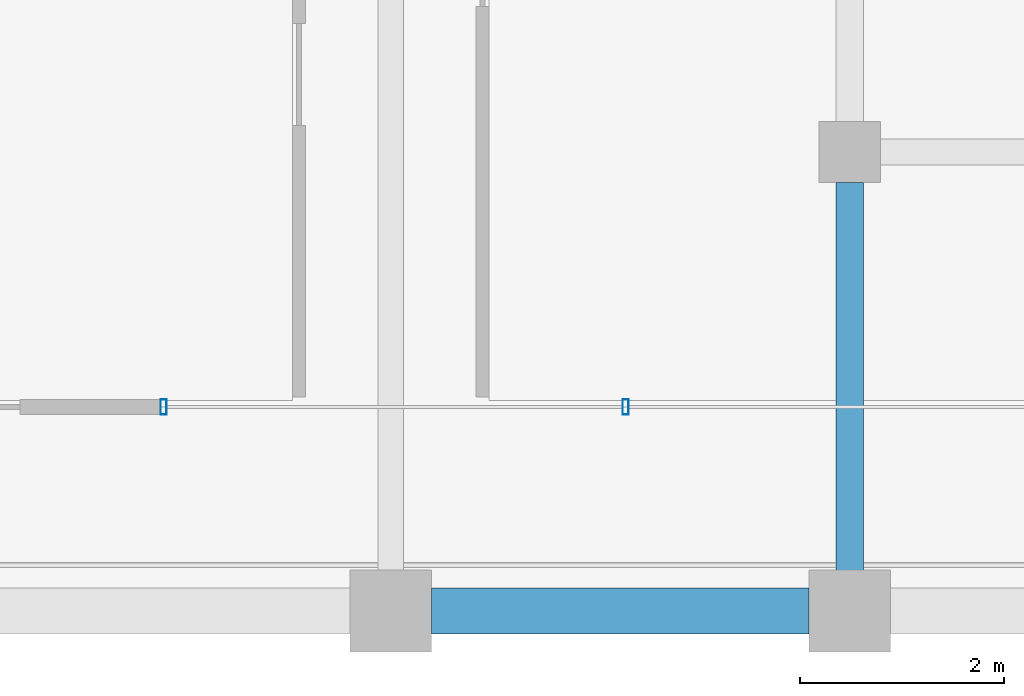
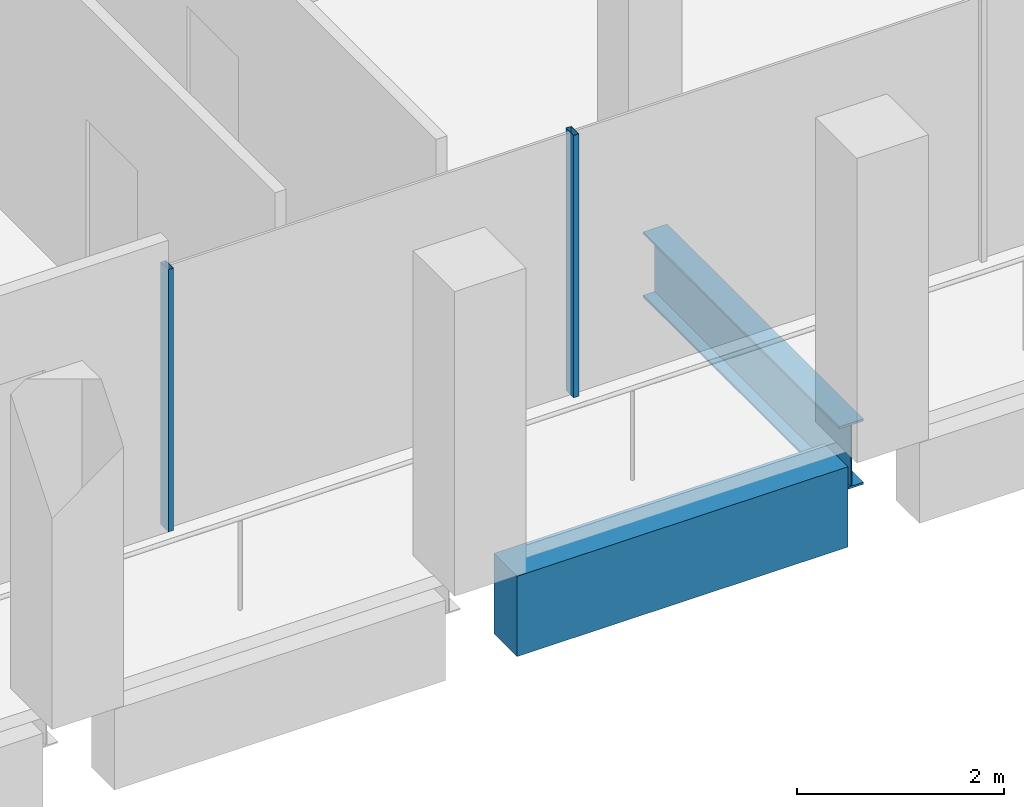
# One storey, part 11 of 62: 2 beams, 2 members, 1 element without a shape of its own.
"""IFC4 building model written with IfcOpenShell, lengths in metres."""

from ifc_helpers import new_model, si_unit, direction, frame, origin, origin_2d, place, context, subcontext, project, spatial, rectangle, hollow_rectangle, i_section, extrude, material, material_profile, profile_set, type_object, element, aggregate, save


model = new_model("IFC4")

# Units and contexts
model_context = context("Model", 3, precision=1e-05, world=origin(), true_north=direction((0.0, 1.0)))
body_context = subcontext(model_context, "Body", "Model", "MODEL_VIEW")
ifc_project = project(units=[si_unit("LENGTHUNIT", "METRE"), si_unit("AREAUNIT", "SQUARE_METRE"), si_unit("VOLUMEUNIT", "CUBIC_METRE"), si_unit("PLANEANGLEUNIT", "RADIAN"), si_unit("MASSUNIT", "GRAM", prefix="KILO")], contexts=[model_context])

# Site, building, storey
site_placement = place(None, origin())
site = spatial("IfcSite", under=ifc_project, at=site_placement, CompositionType="ELEMENT")
building_placement = place(site_placement, origin())
building = spatial("IfcBuilding", under=site, at=building_placement, Name="Altepetl Exchange Towers", CompositionType="ELEMENT")
storey_placement = place(building_placement, frame((0.0, 0.0, 210.0)))
storey = spatial("IfcBuildingStorey", under=building, at=storey_placement, Name="L53", CompositionType="ELEMENT", Elevation=210.0)

# Beam
ifc_material_1 = material(Name="Steel S355", Category="steel")
ifc_material_profile_1 = material_profile(ifc_material_1, i_section(OverallWidth=0.26806640625, OverallDepth=0.77392578125, WebThickness=0.015380859375, FlangeThickness=0.025390625, at=origin_2d()), Name="W30X132")
ifc_profile_set_1 = profile_set([ifc_material_profile_1], Name="Steel S355")
beam_type_1 = type_object("IfcBeamType", Name="Girder W30X132", PredefinedType="BEAM", material=ifc_profile_set_1)
beam_1_placement = place(storey_placement, frame((58.5, 31.199951171875, -0.537109375), z_axis=(0.0, -1.0, 0.0), x_axis=(1.0, 0.0, 0.0)))
element("IfcBeam", 1, at=beam_1_placement, inside=storey, type_object=beam_type_1, Name="gd:A:L53:005", PredefinedType="BEAM", context=body_context, shape_type="SweptSolid", body=[
    extrude(i_section(OverallWidth=0.26806640625, OverallDepth=0.77392578125, WebThickness=0.015380859375, FlangeThickness=0.025390625, at=origin_2d()), origin(), (0.0, 0.0, 1.0), 3.800048828125),
])

# Curtain wall, members
ifc_material_2 = material(Name="Aluminium 6063-T6 glazing", Category="aluminium")
curtain_wall_type = type_object("IfcCurtainWallType", Name="Loggia glazing system", PredefinedType="NOTDEFINED", material=ifc_material_2)
curtain_wall_placement = place(storey_placement, origin())
curtain_wall = element("IfcCurtainWall", 2, at=curtain_wall_placement, inside=storey, type_object=curtain_wall_type, Name="CW1 run", PredefinedType="NOTDEFINED")
ifc_material_3 = material(Name="Aluminium 6063-T6", Category="aluminium")
ifc_material_profile_2 = material_profile(ifc_material_3, hollow_rectangle(XDim=0.06005859375, YDim=0.14990234375, WallThickness=0.0029296875, at=origin_2d()), Name="Mullion 60x150 aluminium")
ifc_profile_set_2 = profile_set([ifc_material_profile_2], Name="Aluminium 6063-T6")
member_type = type_object("IfcMemberType", Name="Mullion 60x150 aluminium", PredefinedType="MULLION", material=ifc_profile_set_2)
member_1_placement = place(storey_placement, frame((51.77294921875, 29.0, 0.0)))
member_1 = element("IfcMember", 3, at=member_1_placement, type_object=member_type, Name="MU1 mullion", PredefinedType="MULLION", context=body_context, shape_type="SweptSolid", body=[
    extrude(hollow_rectangle(XDim=0.06005859375, YDim=0.14990234375, WallThickness=0.0029296875, at=origin_2d()), origin(), (0.0, 0.0, 1.0), 3.10009765625),
])
member_2_placement = place(storey_placement, frame((56.303466796875, 29.0, 0.0)))
member_2 = element("IfcMember", 4, at=member_2_placement, type_object=member_type, Name="MU1 mullion", PredefinedType="MULLION", context=body_context, shape_type="SweptSolid", body=[
    extrude(hollow_rectangle(XDim=0.06005859375, YDim=0.14990234375, WallThickness=0.0029296875, at=origin_2d()), origin(), (0.0, 0.0, 1.0), 3.10009765625),
])
aggregate(curtain_wall, [member_1, member_2])

# Beam
ifc_material_4 = material(Name="Concrete C50/60 precast with cantera blanca facing", Category="concrete")
ifc_material_profile_3 = material_profile(ifc_material_4, rectangle(XDim=0.449951171875, YDim=0.949951171875, at=origin_2d()), Name="450 x 950")
ifc_profile_set_3 = profile_set([ifc_material_profile_3], Name="Concrete C50/60 precast with cantera blanca facing")
beam_type_2 = type_object("IfcBeamType", Name="Spandrel beam 450x950 cantera blanca", PredefinedType="SPANDREL", material=ifc_profile_set_3)
beam_2_placement = place(storey_placement, frame((54.39990234375, 27.0, -0.625), z_axis=(1.0, 0.0, 0.0), x_axis=(0.0, 1.0, 0.0)))
element("IfcBeam", 5, at=beam_2_placement, inside=storey, type_object=beam_type_2, Name="sp:A:L53:005", PredefinedType="SPANDREL", context=body_context, shape_type="SweptSolid", body=[
    extrude(rectangle(XDim=0.449951171875, YDim=0.949951171875, at=origin_2d()), origin(), (0.0, 0.0, 1.0), 3.7001953125),
])

save(model, "model.ifc")
